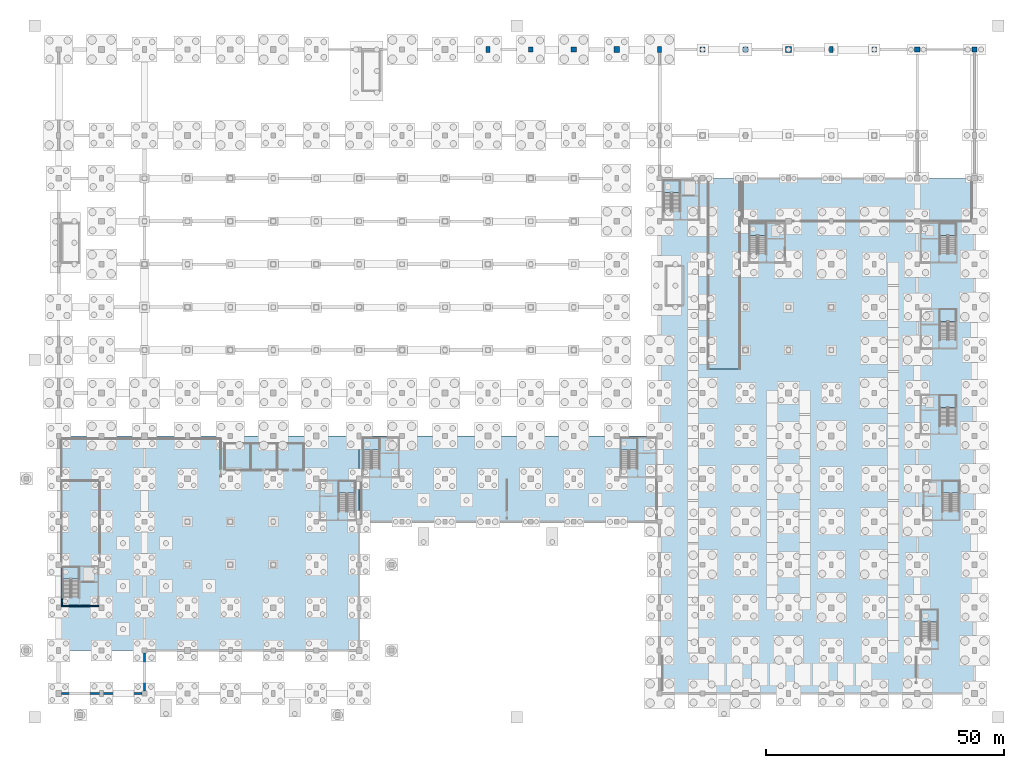
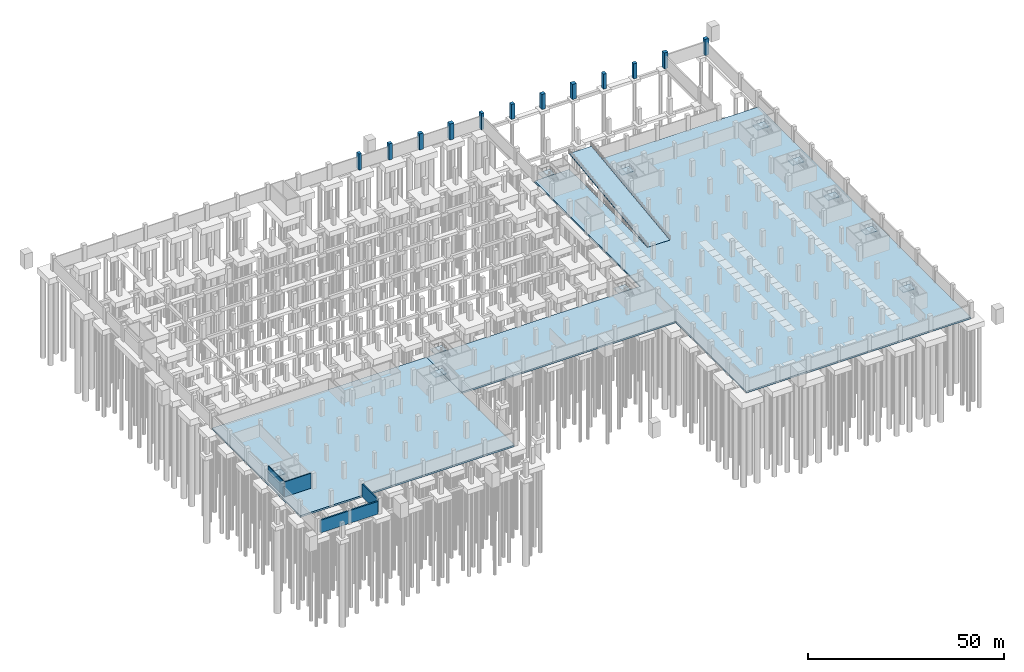
# One storey, part 14 of 37: 14 slabs, 12 columns, 4 walls, 11 elements without a shape of their own.
"""IFC4 building model written with IfcOpenShell, lengths in metres."""

from ifc_helpers import new_model, si_unit, direction, frame, frame_2d, origin, origin_2d, place, context, subcontext, project, spatial, polyline, rectangle, outline, extrude, material, layer, layer_set, material_profile, profile_set, type_object, element, aggregate, save


model = new_model("IFC4")

# Units and contexts
model_context = context("Model", 3, precision=1e-05, world=origin(), true_north=direction((0.0, 1.0)))
body_context = subcontext(model_context, "Body", "Model", "MODEL_VIEW")
ifc_project = project(units=[si_unit("LENGTHUNIT", "METRE"), si_unit("AREAUNIT", "SQUARE_METRE"), si_unit("VOLUMEUNIT", "CUBIC_METRE"), si_unit("PLANEANGLEUNIT", "RADIAN"), si_unit("MASSUNIT", "GRAM", prefix="KILO")], contexts=[model_context])

# Site, building, storey
site_placement = place(None, origin())
site = spatial("IfcSite", under=ifc_project, at=site_placement, CompositionType="ELEMENT")
building_placement = place(site_placement, origin())
building = spatial("IfcBuilding", under=site, at=building_placement, Name="Barlavento Convention Centre", CompositionType="ELEMENT")
storey_placement = place(building_placement, frame((0.0, 0.0, -5.0)))
storey = spatial("IfcBuildingStorey", under=building, at=storey_placement, Name="B1", CompositionType="ELEMENT", Elevation=-5.0)

# Columns
ifc_material_1 = material(Name="Concrete C50/60", Category="concrete")
ifc_material_profile_1 = material_profile(ifc_material_1, rectangle(XDim=1.0, YDim=1.0, at=origin_2d()), Name="RC 1000x1000")
ifc_profile_set_1 = profile_set([ifc_material_profile_1], Name="Concrete C50/60")
column_type_1 = type_object("IfcColumnType", Name="STR-COL-RC1000", PredefinedType="COLUMN", material=ifc_profile_set_1)
column_1_placement = place(storey_placement, frame((99.0, 135.0, 0.0), z_axis=(0.0, 0.0, 1.0), x_axis=(1.0, 0.0, 0.0)))
element("IfcColumn", 1, at=column_1_placement, inside=storey, type_object=column_type_1, Name="B1 column CC03", PredefinedType="COLUMN", context=body_context, shape_type="SweptSolid", body=[
    extrude(rectangle(XDim=1.0, YDim=1.0, at=origin_2d()), origin(), (0.0, 0.0, 1.0), 5.0),
])
for number, where, z_axis, x_axis, name in (
    (2, (135.0, 135.0, 0.0), (0.0, 0.0, 1.0), (1.0, 0.0, 0.0), "B1 column CC03"),
    (3, (171.0, 135.0, 0.0), (0.0, 0.0, 1.0), (1.0, 0.0, 0.0), "B1 column CC03"),
):
    element("IfcColumn", number, at=place(storey_placement, frame(where, z_axis=z_axis, x_axis=x_axis)), inside=storey, type_object=column_type_1, Name=name, PredefinedType="COLUMN", context=body_context, shape_type="SweptSolid", body=[
        extrude(rectangle(XDim=1.0, YDim=1.0, at=origin_2d()), origin(), (0.0, 0.0, 1.0), 4.68994140625),
    ])
ifc_material_profile_2 = material_profile(ifc_material_1, rectangle(XDim=1.10009765625, YDim=1.10009765625, at=origin_2d()), Name="RC 1100x1100")
ifc_profile_set_2 = profile_set([ifc_material_profile_2], Name="Concrete C50/60")
column_type_2 = type_object("IfcColumnType", Name="STR-COL-RC1100", PredefinedType="COLUMN", material=ifc_profile_set_2)
column_2_placement = place(storey_placement, frame((108.0, 135.0, 0.0), z_axis=(0.0, 0.0, 1.0), x_axis=(1.0, 0.0, 0.0)))
element("IfcColumn", 4, at=column_2_placement, inside=storey, type_object=column_type_2, Name="B1 column CC02", PredefinedType="COLUMN", context=body_context, shape_type="SweptSolid", body=[
    extrude(rectangle(XDim=1.10009765625, YDim=1.10009765625, at=origin_2d()), origin(), (0.0, 0.0, 1.0), 5.0),
])
column_3_placement = place(storey_placement, frame((144.0, 135.0, 0.0), z_axis=(0.0, 0.0, 1.0), x_axis=(1.0, 0.0, 0.0)))
element("IfcColumn", 5, at=column_3_placement, inside=storey, type_object=column_type_2, Name="B1 column CC02", PredefinedType="COLUMN", context=body_context, shape_type="SweptSolid", body=[
    extrude(rectangle(XDim=1.10009765625, YDim=1.10009765625, at=origin_2d()), origin(), (0.0, 0.0, 1.0), 4.68994140625),
])
for number, where, z_axis, x_axis, name in (
    (6, (180.0, 135.0, 0.0), (0.0, 0.0, 1.0), (1.0, 0.0, 0.0), "B1 column CC02"),
    (7, (192.0, 135.0, 0.0), (0.0, 0.0, 1.0), (1.0, 0.0, 0.0), "B1 column CC02"),
):
    element("IfcColumn", number, at=place(storey_placement, frame(where, z_axis=z_axis, x_axis=x_axis)), inside=storey, type_object=column_type_2, Name=name, PredefinedType="COLUMN", context=body_context, shape_type="SweptSolid", body=[
        extrude(rectangle(XDim=1.10009765625, YDim=1.10009765625, at=origin_2d()), origin(), (0.0, 0.0, 1.0), 5.0),
    ])
ifc_material_profile_3 = material_profile(ifc_material_1, rectangle(XDim=1.199951171875, YDim=1.199951171875, at=origin_2d()), Name="RC 1200x1200")
ifc_profile_set_3 = profile_set([ifc_material_profile_3], Name="Concrete C50/60")
column_type_3 = type_object("IfcColumnType", Name="STR-COL-RC1200", PredefinedType="COLUMN", material=ifc_profile_set_3)
column_4_placement = place(storey_placement, frame((117.0, 135.0, 0.0), z_axis=(0.0, 0.0, 1.0), x_axis=(1.0, 0.0, 0.0)))
element("IfcColumn", 8, at=column_4_placement, inside=storey, type_object=column_type_3, Name="B1 column CC01", PredefinedType="COLUMN", context=body_context, shape_type="SweptSolid", body=[
    extrude(rectangle(XDim=1.199951171875, YDim=1.199951171875, at=origin_2d()), origin(), (0.0, 0.0, 1.0), 5.0),
])
column_5_placement = place(storey_placement, frame((153.0, 135.0, 0.0), z_axis=(0.0, 0.0, 1.0), x_axis=(1.0, 0.0, 0.0)))
element("IfcColumn", 9, at=column_5_placement, inside=storey, type_object=column_type_3, Name="B1 column CC01", PredefinedType="COLUMN", context=body_context, shape_type="SweptSolid", body=[
    extrude(rectangle(XDim=1.199951171875, YDim=1.199951171875, at=origin_2d()), origin(), (0.0, 0.0, 1.0), 4.68994140625),
])
ifc_material_profile_4 = material_profile(ifc_material_1, rectangle(XDim=0.800048828125, YDim=1.199951171875, at=origin_2d()), Name="RC 800x1200")
ifc_profile_set_4 = profile_set([ifc_material_profile_4], Name="Concrete C50/60")
column_type_4 = type_object("IfcColumnType", Name="STR-COL-RC800X1200", PredefinedType="COLUMN", material=ifc_profile_set_4)
for number, where, z_axis, x_axis, name in (
    (10, (90.0, 135.0, 0.0), (0.0, 0.0, 1.0), (1.0, 0.0, 0.0), "B1 column CC08"),
    (11, (126.0, 135.0, 0.0), (0.0, 0.0, 1.0), (1.0, 0.0, 0.0), "B1 column CC08"),
):
    element("IfcColumn", number, at=place(storey_placement, frame(where, z_axis=z_axis, x_axis=x_axis)), inside=storey, type_object=column_type_4, Name=name, PredefinedType="COLUMN", context=body_context, shape_type="SweptSolid", body=[
        extrude(rectangle(XDim=0.800048828125, YDim=1.199951171875, at=origin_2d()), origin(), (0.0, 0.0, 1.0), 5.0),
    ])
column_6_placement = place(storey_placement, frame((162.0, 135.0, 0.0), z_axis=(0.0, 0.0, 1.0), x_axis=(1.0, 0.0, 0.0)))
element("IfcColumn", 12, at=column_6_placement, inside=storey, type_object=column_type_4, Name="B1 column CC08", PredefinedType="COLUMN", context=body_context, shape_type="SweptSolid", body=[
    extrude(rectangle(XDim=0.800048828125, YDim=1.199951171875, at=origin_2d()), origin(), (0.0, 0.0, 1.0), 4.68994140625),
])

# Stair, slab
ifc_material_2 = material(Name="Concrete C40/50", Category="concrete")
stair_type_1 = type_object("IfcStairType", Name="ARC-STR-DOG-1620", PredefinedType="HALF_TURN_STAIR", material=ifc_material_2)
stair_1_placement = place(storey_placement, origin())
stair_1 = element("IfcStair", 13, at=stair_1_placement, inside=storey, type_object=stair_type_1, Name="B1 ST01", PredefinedType="HALF_TURN_STAIR")
ifc_layer_1 = layer(ifc_material_2, 0.199951171875)
ifc_layer_set_1 = layer_set([ifc_layer_1], Name="ARC-SLB-LND-200")
slab_type_1 = type_object("IfcSlabType", Name="ARC-SLB-LND-200", PredefinedType="LANDING", material=ifc_layer_set_1)
slab_1_placement = place(storey_placement, frame((0.0, 0.0, 2.300048828125)))
slab_1 = element("IfcSlab", 14, at=slab_1_placement, type_object=slab_type_1, Name="ST01 landing 1", PredefinedType="LANDING", context=body_context, shape_type="SweptSolid", body=[
    extrude(outline(polyline([(4.2900390625, 24.010009765625), (4.2900390625, 26.530029296875), (0.85009765625, 26.530029296875), (0.85009765625, 24.010009765625), (4.2900390625, 24.010009765625)])), origin(), (0.0, 0.0, 1.0), 0.199951171875),
])
aggregate(stair_1, [slab_1])

stair_2_placement = place(storey_placement, origin())
stair_2 = element("IfcStair", 15, at=stair_2_placement, inside=storey, type_object=stair_type_1, Name="B1 ST02", PredefinedType="HALF_TURN_STAIR")
slab_2_placement = place(storey_placement, frame((0.0, 0.0, 2.300048828125)))
slab_2 = element("IfcSlab", 16, at=slab_2_placement, type_object=slab_type_1, Name="ST02 landing 1", PredefinedType="LANDING", context=body_context, shape_type="SweptSolid", body=[
    extrude(outline(polyline([(62.14990234375, 42.010009765625), (62.14990234375, 44.530029296875), (58.7099609375, 44.530029296875), (58.7099609375, 42.010009765625), (62.14990234375, 42.010009765625)])), origin(), (0.0, 0.0, 1.0), 0.199951171875),
])
aggregate(stair_2, [slab_2])

stair_3_placement = place(storey_placement, origin())
stair_3 = element("IfcStair", 17, at=stair_3_placement, inside=storey, type_object=stair_type_1, Name="B1 ST03", PredefinedType="HALF_TURN_STAIR")
slab_3_placement = place(storey_placement, frame((0.0, 0.0, 2.300048828125)))
slab_3 = element("IfcSlab", 18, at=slab_3_placement, type_object=slab_type_1, Name="ST03 landing 1", PredefinedType="LANDING", context=body_context, shape_type="SweptSolid", body=[
    extrude(outline(polyline([(67.2900390625, 51.010009765625), (67.2900390625, 53.530029296875), (63.85009765625, 53.530029296875), (63.85009765625, 51.010009765625), (67.2900390625, 51.010009765625)])), origin(), (0.0, 0.0, 1.0), 0.199951171875),
])
aggregate(stair_3, [slab_3])

stair_4_placement = place(storey_placement, origin())
stair_4 = element("IfcStair", 19, at=stair_4_placement, inside=storey, type_object=stair_type_1, Name="B1 ST04", PredefinedType="HALF_TURN_STAIR")
slab_4_placement = place(storey_placement, frame((0.0, 0.0, 2.300048828125)))
slab_4 = element("IfcSlab", 20, at=slab_4_placement, type_object=slab_type_1, Name="ST04 landing 1", PredefinedType="LANDING", context=body_context, shape_type="SweptSolid", body=[
    extrude(outline(polyline([(121.2900390625, 51.010009765625), (121.2900390625, 53.530029296875), (117.85009765625, 53.530029296875), (117.85009765625, 51.010009765625), (121.2900390625, 51.010009765625)])), origin(), (0.0, 0.0, 1.0), 0.199951171875),
])
aggregate(stair_4, [slab_4])

stair_5_placement = place(storey_placement, origin())
stair_5 = element("IfcStair", 21, at=stair_5_placement, inside=storey, type_object=stair_type_1, Name="B1 ST05", PredefinedType="HALF_TURN_STAIR")
slab_5_placement = place(storey_placement, frame((0.0, 0.0, 2.300048828125)))
slab_5 = element("IfcSlab", 22, at=slab_5_placement, type_object=slab_type_1, Name="ST05 landing 1", PredefinedType="LANDING", context=body_context, shape_type="SweptSolid", body=[
    extrude(outline(polyline([(188.14990234375, 60.010009765625), (188.14990234375, 62.530029296875), (184.7099609375, 62.530029296875), (184.7099609375, 60.010009765625), (188.14990234375, 60.010009765625)])), origin(), (0.0, 0.0, 1.0), 0.199951171875),
])
aggregate(stair_5, [slab_5])

stair_6_placement = place(storey_placement, origin())
stair_6 = element("IfcStair", 23, at=stair_6_placement, inside=storey, type_object=stair_type_1, Name="B1 ST06", PredefinedType="HALF_TURN_STAIR")
slab_6_placement = place(storey_placement, frame((0.0, 0.0, 2.300048828125)))
slab_6 = element("IfcSlab", 24, at=slab_6_placement, type_object=slab_type_1, Name="ST06 landing 1", PredefinedType="LANDING", context=body_context, shape_type="SweptSolid", body=[
    extrude(outline(polyline([(188.75, 42.010009765625), (188.75, 44.530029296875), (185.31005859375, 44.530029296875), (185.31005859375, 42.010009765625), (188.75, 42.010009765625)])), origin(), (0.0, 0.0, 1.0), 0.199951171875),
])
aggregate(stair_6, [slab_6])

stair_7_placement = place(storey_placement, origin())
stair_7 = element("IfcStair", 25, at=stair_7_placement, inside=storey, type_object=stair_type_1, Name="B1 ST07", PredefinedType="HALF_TURN_STAIR")
slab_7_placement = place(storey_placement, frame((0.0, 0.0, 2.300048828125)))
slab_7 = element("IfcSlab", 26, at=slab_7_placement, type_object=slab_type_1, Name="ST07 landing 1", PredefinedType="LANDING", context=body_context, shape_type="SweptSolid", body=[
    extrude(outline(polyline([(188.14990234375, 78.010009765625), (188.14990234375, 80.530029296875), (184.7099609375, 80.530029296875), (184.7099609375, 78.010009765625), (188.14990234375, 78.010009765625)])), origin(), (0.0, 0.0, 1.0), 0.199951171875),
])
aggregate(stair_7, [slab_7])

stair_8_placement = place(storey_placement, origin())
stair_8 = element("IfcStair", 27, at=stair_8_placement, inside=storey, type_object=stair_type_1, Name="B1 ST08", PredefinedType="HALF_TURN_STAIR")
slab_8_placement = place(storey_placement, frame((0.0, 0.0, 2.300048828125)))
slab_8 = element("IfcSlab", 28, at=slab_8_placement, type_object=slab_type_1, Name="ST08 landing 1", PredefinedType="LANDING", context=body_context, shape_type="SweptSolid", body=[
    extrude(outline(polyline([(188.14990234375, 96.010009765625), (188.14990234375, 98.530029296875), (184.7099609375, 98.530029296875), (184.7099609375, 96.010009765625), (188.14990234375, 96.010009765625)])), origin(), (0.0, 0.0, 1.0), 0.199951171875),
])
aggregate(stair_8, [slab_8])

stair_9_placement = place(storey_placement, origin())
stair_9 = element("IfcStair", 29, at=stair_9_placement, inside=storey, type_object=stair_type_1, Name="B1 ST09", PredefinedType="HALF_TURN_STAIR")
slab_9_placement = place(storey_placement, frame((0.0, 0.0, 2.300048828125)))
slab_9 = element("IfcSlab", 30, at=slab_9_placement, type_object=slab_type_1, Name="ST09 landing 1", PredefinedType="LANDING", context=body_context, shape_type="SweptSolid", body=[
    extrude(outline(polyline([(148.2900390625, 96.010009765625), (148.2900390625, 98.530029296875), (144.85009765625, 98.530029296875), (144.85009765625, 96.010009765625), (148.2900390625, 96.010009765625)])), origin(), (0.0, 0.0, 1.0), 0.199951171875),
])
aggregate(stair_9, [slab_9])

stair_type_2 = type_object("IfcStairType", Name="ARC-STR-DOG-1600", PredefinedType="HALF_TURN_STAIR", material=ifc_material_2)
stair_10_placement = place(storey_placement, origin())
stair_10 = element("IfcStair", 31, at=stair_10_placement, inside=storey, type_object=stair_type_2, Name="B1 ST10", PredefinedType="HALF_TURN_STAIR")
slab_10_placement = place(storey_placement, frame((0.0, 0.0, 2.300048828125)))
slab_10 = element("IfcSlab", 32, at=slab_10_placement, type_object=slab_type_1, Name="ST10 landing 1", PredefinedType="LANDING", context=body_context, shape_type="SweptSolid", body=[
    extrude(outline(polyline([(130.25, 104.989990234375), (130.25, 107.530029296875), (126.85009765625, 107.530029296875), (126.85009765625, 104.989990234375), (130.25, 104.989990234375)])), origin(), (0.0, 0.0, 1.0), 0.199951171875),
])
aggregate(stair_10, [slab_10])

stair_11_placement = place(storey_placement, origin())
stair_11 = element("IfcStair", 33, at=stair_11_placement, inside=storey, type_object=stair_type_1, Name="B1 ST14", PredefinedType="HALF_TURN_STAIR")
slab_11_placement = place(storey_placement, frame((0.0, 0.0, 2.300048828125)))
slab_11 = element("IfcSlab", 34, at=slab_11_placement, type_object=slab_type_1, Name="ST14 landing 1", PredefinedType="LANDING", context=body_context, shape_type="SweptSolid", body=[
    extrude(outline(polyline([(184.2900390625, 15.010009765625), (184.2900390625, 17.530029296875), (180.85009765625, 17.530029296875), (180.85009765625, 15.010009765625), (184.2900390625, 15.010009765625)])), origin(), (0.0, 0.0, 1.0), 0.199951171875),
])
aggregate(stair_11, [slab_11])

# Slabs
ifc_layer_2 = layer(ifc_material_2, 0.5)
ifc_layer_set_2 = layer_set([ifc_layer_2], Name="STR-SLB-BASE-500")
slab_type_2 = type_object("IfcSlabType", Name="STR-SLB-BASE-500", PredefinedType="BASESLAB", material=ifc_layer_set_2)
slab_12_placement = place(storey_placement, frame((0.0, 0.0, -0.5)))
element("IfcSlab", 35, at=slab_12_placement, inside=storey, type_object=slab_type_2, Name="B1 structural slab BS-02", PredefinedType="BASESLAB", context=body_context, shape_type="SweptSolid", body=[
    extrude(outline(polyline([(63.0, 36.0), (126.0, 36.0), (126.0, 0.0), (192.0, 0.0), (192.0, 108.0), (142.75, 108.0), (142.75, 68.0), (136.25, 68.0), (136.25, 108.0), (126.0, 108.0), (126.0, 54.0), (63.0, 54.0), (63.0, 36.0)])), origin(), (0.0, 0.0, 1.0), 0.5),
])
ifc_layer_3 = layer(ifc_material_2, 0.52001953125)
ifc_layer_set_3 = layer_set([ifc_layer_3], Name="STR-SLB-BASE-520")
slab_type_3 = type_object("IfcSlabType", Name="STR-SLB-BASE-520", PredefinedType="BASESLAB", material=ifc_layer_set_3)
slab_13_placement = place(storey_placement, frame((0.0, 0.0, -0.52001953125)))
element("IfcSlab", 36, at=slab_13_placement, inside=storey, type_object=slab_type_3, Name="B1 structural slab BS-01", PredefinedType="BASESLAB", context=body_context, shape_type="SweptSolid", body=[
    extrude(outline(polyline([(0.0, 9.0), (63.0, 9.0), (63.0, 54.0), (0.0, 54.0), (0.0, 9.0)])), origin(), (0.0, 0.0, 1.0), 0.52001953125),
])
ifc_layer_4 = layer(ifc_material_2, 0.320068359375)
ifc_layer_set_4 = layer_set([ifc_layer_4], Name="STR-SLB-RMP-C40-320")
slab_type_4 = type_object("IfcSlabType", Name="STR-SLB-RMP-C40-320", PredefinedType="ROOF", material=ifc_layer_set_4)
slab_14_placement = place(storey_placement, frame((136.25, 68.0, 0.0), z_axis=(0.0, -0.124157100019, 0.992262573372), x_axis=(1.0, 0.0, 0.0)))
element("IfcSlab", 37, at=slab_14_placement, inside=storey, type_object=slab_type_4, Name="Car park vehicle ramp VR-01 structural slab VRS-01", PredefinedType="ROOF", context=body_context, shape_type="SweptSolid", body=[
    extrude(outline(polyline([(0.0, 0.0), (6.5, 0.0), (6.5, 40.271559171784325), (0.0, 40.271559171784325), (0.0, 0.0)])), origin(), (0.0, 0.0, -1.0), 0.320068359375),
])

# Walls
ifc_layer_5 = layer(ifc_material_1, 0.25)
ifc_layer_set_5 = layer_set([ifc_layer_5], Name="STR-WL-CORE-250")
wall_type_1 = type_object("IfcWallType", Name="STR-WL-CORE-250", PredefinedType="SHEAR", material=ifc_layer_set_5)
wall_1_placement = place(storey_placement, frame((0.72509765625, 18.469970703125, 0.0), z_axis=(0.0, 0.0, 1.0), x_axis=(0.0, 1.0, 0.0)))
element("IfcWall", 38, at=wall_1_placement, inside=storey, type_object=wall_type_1, Name="B1 interior wall CW-02", PredefinedType="SHEAR", context=body_context, shape_type="SweptSolid", body=[
    extrude(rectangle(XDim=8.06005859375, YDim=0.25, at=frame_2d((4.030029296875, 0.0))), origin(), (0.0, 0.0, 1.0), 4.659912109375),
])
wall_2_placement = place(storey_placement, frame((0.60009765625, 18.344970703125, 0.0), z_axis=(0.0, 0.0, 1.0), x_axis=(1.0, 0.0, 0.0)))
element("IfcWall", 39, at=wall_2_placement, inside=storey, type_object=wall_type_1, Name="B1 interior wall CW-02", PredefinedType="SHEAR", context=body_context, shape_type="SweptSolid", body=[
    extrude(rectangle(XDim=7.7998046875, YDim=0.25, at=frame_2d((3.89990234375, 0.0))), origin(), (0.0, 0.0, 1.0), 4.659912109375),
])
ifc_layer_6 = layer(ifc_material_2, 0.449951171875)
ifc_layer_set_6 = layer_set([ifc_layer_6], Name="STR-WL-RET-450")
wall_type_2 = type_object("IfcWallType", Name="STR-WL-RET-450", PredefinedType="SHEAR", material=ifc_layer_set_6)
wall_3_placement = place(storey_placement, frame((0.594970703125, 0.0, 0.0), z_axis=(0.0, 0.0, 1.0), x_axis=(1.0, 0.0, 0.0)))
element("IfcWall", 40, at=wall_3_placement, inside=storey, type_object=wall_type_2, Name="B1 exterior wall RW01", PredefinedType="SHEAR", context=body_context, shape_type="SweptSolid", body=[
    extrude(rectangle(XDim=16.909912109375, YDim=0.449951171875, at=frame_2d((8.455078125, 0.0))), origin(), (0.0, 0.0, 1.0), 3.949951171875),
])
ifc_layer_7 = layer(ifc_material_2, 0.39990234375)
ifc_layer_set_7 = layer_set([ifc_layer_7], Name="STR-WL-SHR-400")
wall_type_3 = type_object("IfcWallType", Name="STR-WL-SHR-400", PredefinedType="SHEAR", material=ifc_layer_set_7)
wall_4_placement = place(storey_placement, frame((18.0, 0.4951171875, 0.0), z_axis=(0.0, 0.0, 1.0), x_axis=(0.0, 1.0, 0.0)))
element("IfcWall", 41, at=wall_4_placement, inside=storey, type_object=wall_type_3, Name="B1 exterior wall SW01", PredefinedType="SHEAR", context=body_context, shape_type="SweptSolid", body=[
    extrude(rectangle(XDim=7.9599609375, YDim=0.39990234375, at=frame_2d((3.97998046875, 0.0))), origin(), (0.0, 0.0, 1.0), 3.949951171875),
])

save(model, "model.ifc")
